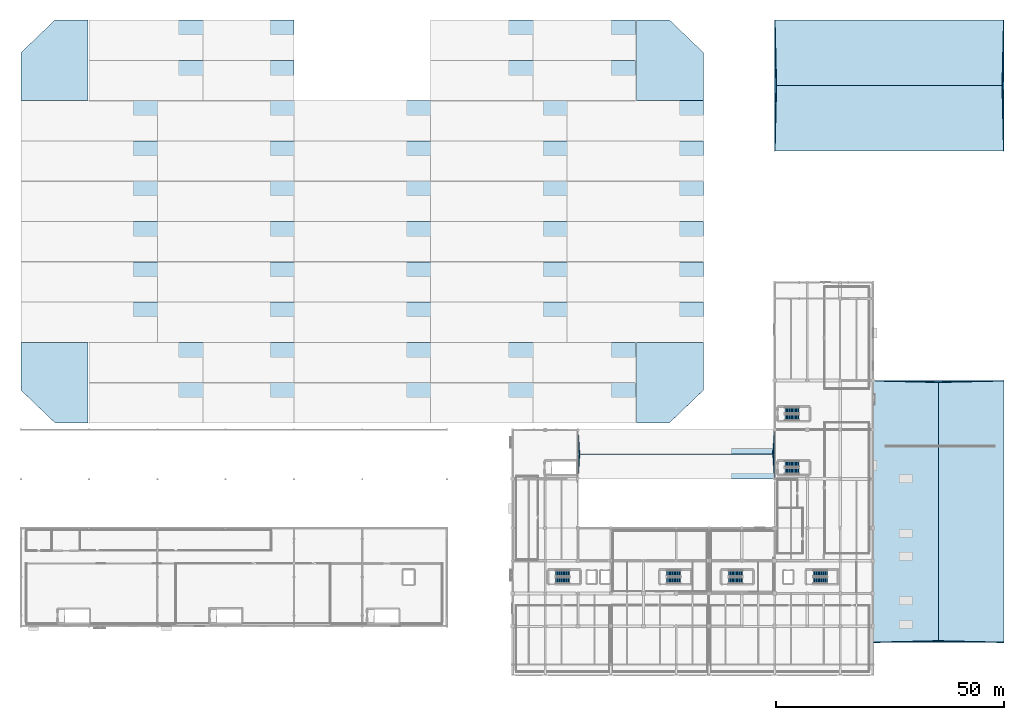
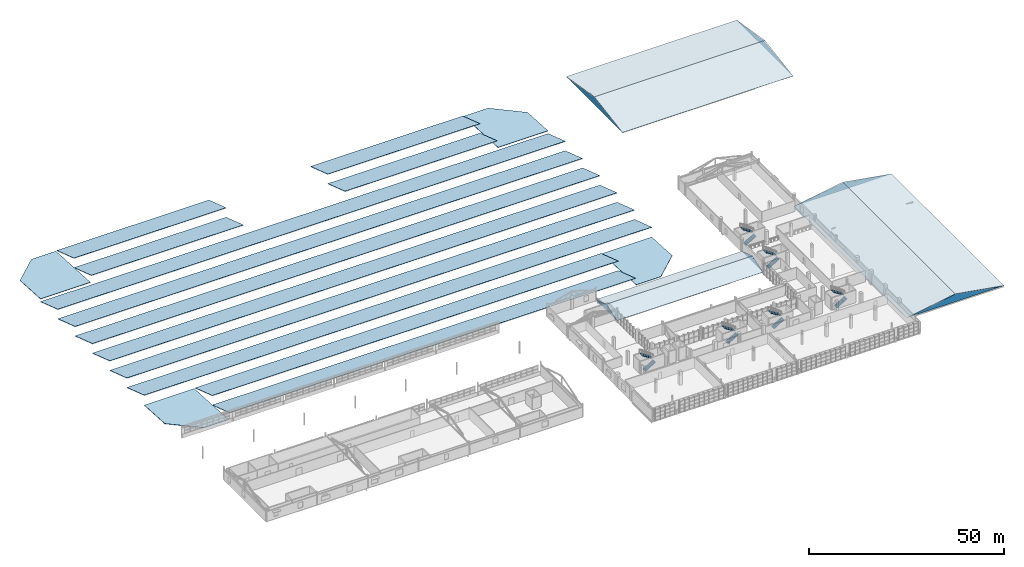
# One storey, part 78 of 90: 28 roofs, 12 stair flights, 6 elements without a shape of their own.
"""IFC4 building model written with IfcOpenShell, lengths in metres."""

from ifc_helpers import new_model, si_unit, direction, frame, origin, place, context, subcontext, project, spatial, polyline, outline, extrude, material, type_object, element, aggregate, save


model = new_model("IFC4")

# Units and contexts
model_context = context("Model", 3, precision=1e-05, world=origin(), true_north=direction((0.0, 1.0)))
body_context = subcontext(model_context, "Body", "Model", "MODEL_VIEW")
ifc_project = project(units=[si_unit("LENGTHUNIT", "METRE"), si_unit("AREAUNIT", "SQUARE_METRE"), si_unit("VOLUMEUNIT", "CUBIC_METRE"), si_unit("PLANEANGLEUNIT", "RADIAN"), si_unit("MASSUNIT", "GRAM", prefix="KILO")], contexts=[model_context])

# Site, building, storey
site_placement = place(None, origin())
site = spatial("IfcSite", under=ifc_project, at=site_placement, CompositionType="ELEMENT")
building_placement = place(site_placement, origin())
building = spatial("IfcBuilding", under=site, at=building_placement, Name="Solanera Park Tramway Depot", CompositionType="ELEMENT")
storey_placement = place(building_placement, frame((0.0, 0.0, 9.0)))
storey = spatial("IfcBuildingStorey", under=building, at=storey_placement, Name="L02", CompositionType="ELEMENT", Elevation=9.0)

# Stair, stair flights
ifc_material_1 = material(Name="Concrete N40 (C40/50)", Category="concrete")
stair_type = type_object("IfcStairType", Name="Stair Half-Turn Dogleg 4200", PredefinedType="HALF_TURN_STAIR", material=ifc_material_1)
stair_1_placement = place(storey_placement, origin())
stair_1 = element("IfcStair", 1, at=stair_1_placement, inside=storey, type_object=stair_type, Name="ST-01 L02 Half-Turn Stair", PredefinedType="HALF_TURN_STAIR")
ifc_material_2 = material(Name="Concrete N40 (C40/50)", Category="concrete")
stair_flight_type = type_object("IfcStairFlightType", Name="Stair Flight Concrete 1300", PredefinedType="STRAIGHT", material=ifc_material_2)
stair_flight_1_placement = place(storey_placement, frame((117.5, 20.875, 0.0), z_axis=(0.0, 0.0, 1.0), x_axis=(1.0, 0.0, 0.0)))
stair_flight_1 = element("IfcStairFlight", 2, at=stair_flight_1_placement, type_object=stair_flight_type, Name="ST-01 L02 Stair Flight 1", NumberOfRisers=12, NumberOfTreads=11, PredefinedType="STRAIGHT", RiserHeight=0.175, TreadLength=0.28, context=body_context, shape_type="SweptSolid", body=[
    extrude(outline(polyline([(0.0, 0.0), (0.0, 0.175048828125), (0.280029296875, 0.175048828125), (0.280029296875, 0.35009765625), (0.56005859375, 0.35009765625), (0.56005859375, 0.52490234375), (0.840087890625, 0.52490234375), (0.840087890625, 0.699951171875), (1.1201171875, 0.699951171875), (1.1201171875, 0.875), (1.39990234375, 0.875), (1.39990234375, 1.050048828125), (1.679931640625, 1.050048828125), (1.679931640625, 1.22509765625), (1.9599609375, 1.22509765625), (1.9599609375, 1.39990234375), (2.239990234375, 1.39990234375), (2.239990234375, 1.574951171875), (2.52001953125, 1.574951171875), (2.52001953125, 1.75), (2.800048828125, 1.75), (2.800048828125, 1.925048828125), (3.080078125, 1.925048828125), (3.080078125, 2.10009765625), (3.080078125, 1.736328125), (0.3017578125, 0.0), (0.0, 0.0)])), frame((0.0, 0.675048828125, 0.0), z_axis=(0.0, -1.0, 0.0), x_axis=(1.0, 0.0, 0.0)), (0.0, 0.0, 1.0), 1.35009765625),
])
stair_flight_2_placement = place(storey_placement, frame((120.580078125, 22.425048828125, 2.10009765625), z_axis=(0.0, 0.0, 1.0), x_axis=(-1.0, 0.0, 0.0)))
stair_flight_2 = element("IfcStairFlight", 3, at=stair_flight_2_placement, type_object=stair_flight_type, Name="ST-01 L02 Stair Flight 2", NumberOfRisers=12, NumberOfTreads=11, PredefinedType="STRAIGHT", RiserHeight=0.175, TreadLength=0.28, context=body_context, shape_type="SweptSolid", body=[
    extrude(outline(polyline([(0.0, 0.0), (0.0, 0.175048828125), (0.280029296875, 0.175048828125), (0.280029296875, 0.35009765625), (0.56005859375, 0.35009765625), (0.56005859375, 0.52490234375), (0.840087890625, 0.52490234375), (0.840087890625, 0.699951171875), (1.1201171875, 0.699951171875), (1.1201171875, 0.875), (1.39990234375, 0.875), (1.39990234375, 1.050048828125), (1.679931640625, 1.050048828125), (1.679931640625, 1.22509765625), (1.9599609375, 1.22509765625), (1.9599609375, 1.39990234375), (2.239990234375, 1.39990234375), (2.239990234375, 1.574951171875), (2.52001953125, 1.574951171875), (2.52001953125, 1.75), (2.800048828125, 1.75), (2.800048828125, 1.925048828125), (3.080078125, 1.925048828125), (3.080078125, 2.10009765625), (3.080078125, 1.736328125), (0.3017578125, 0.0), (0.0, 0.0)])), frame((0.0, 0.675048828125, 0.0), z_axis=(0.0, -1.0, 0.0), x_axis=(1.0, 0.0, 0.0)), (0.0, 0.0, 1.0), 1.35009765625),
])
aggregate(stair_1, [stair_flight_1, stair_flight_2])

stair_2_placement = place(storey_placement, origin())
stair_2 = element("IfcStair", 4, at=stair_2_placement, inside=storey, type_object=stair_type, Name="ST-02 L02 Half-Turn Stair", PredefinedType="HALF_TURN_STAIR")
stair_flight_3_placement = place(storey_placement, frame((141.89990234375, 20.875, 0.0), z_axis=(0.0, 0.0, 1.0), x_axis=(1.0, 0.0, 0.0)))
stair_flight_3 = element("IfcStairFlight", 5, at=stair_flight_3_placement, type_object=stair_flight_type, Name="ST-02 L02 Stair Flight 1", NumberOfRisers=12, NumberOfTreads=11, PredefinedType="STRAIGHT", RiserHeight=0.175, TreadLength=0.28, context=body_context, shape_type="SweptSolid", body=[
    extrude(outline(polyline([(0.0, 0.0), (0.0, 0.175048828125), (0.280029296875, 0.175048828125), (0.280029296875, 0.35009765625), (0.56005859375, 0.35009765625), (0.56005859375, 0.52490234375), (0.840087890625, 0.52490234375), (0.840087890625, 0.699951171875), (1.1201171875, 0.699951171875), (1.1201171875, 0.875), (1.39990234375, 0.875), (1.39990234375, 1.050048828125), (1.679931640625, 1.050048828125), (1.679931640625, 1.22509765625), (1.9599609375, 1.22509765625), (1.9599609375, 1.39990234375), (2.239990234375, 1.39990234375), (2.239990234375, 1.574951171875), (2.52001953125, 1.574951171875), (2.52001953125, 1.75), (2.800048828125, 1.75), (2.800048828125, 1.925048828125), (3.080078125, 1.925048828125), (3.080078125, 2.10009765625), (3.080078125, 1.736328125), (0.3017578125, 0.0), (0.0, 0.0)])), frame((0.0, 0.675048828125, 0.0), z_axis=(0.0, -1.0, 0.0), x_axis=(1.0, 0.0, 0.0)), (0.0, 0.0, 1.0), 1.35009765625),
])
stair_flight_4_placement = place(storey_placement, frame((144.97998046875, 22.425048828125, 2.10009765625), z_axis=(0.0, 0.0, 1.0), x_axis=(-1.0, 0.0, 0.0)))
stair_flight_4 = element("IfcStairFlight", 6, at=stair_flight_4_placement, type_object=stair_flight_type, Name="ST-02 L02 Stair Flight 2", NumberOfRisers=12, NumberOfTreads=11, PredefinedType="STRAIGHT", RiserHeight=0.175, TreadLength=0.28, context=body_context, shape_type="SweptSolid", body=[
    extrude(outline(polyline([(0.0, 0.0), (0.0, 0.175048828125), (0.280029296875, 0.175048828125), (0.280029296875, 0.35009765625), (0.56005859375, 0.35009765625), (0.56005859375, 0.52490234375), (0.840087890625, 0.52490234375), (0.840087890625, 0.699951171875), (1.1201171875, 0.699951171875), (1.1201171875, 0.875), (1.39990234375, 0.875), (1.39990234375, 1.050048828125), (1.679931640625, 1.050048828125), (1.679931640625, 1.22509765625), (1.9599609375, 1.22509765625), (1.9599609375, 1.39990234375), (2.239990234375, 1.39990234375), (2.239990234375, 1.574951171875), (2.52001953125, 1.574951171875), (2.52001953125, 1.75), (2.800048828125, 1.75), (2.800048828125, 1.925048828125), (3.080078125, 1.925048828125), (3.080078125, 2.10009765625), (3.080078125, 1.736328125), (0.3017578125, 0.0), (0.0, 0.0)])), frame((0.0, 0.675048828125, 0.0), z_axis=(0.0, -1.0, 0.0), x_axis=(1.0, 0.0, 0.0)), (0.0, 0.0, 1.0), 1.35009765625),
])
aggregate(stair_2, [stair_flight_3, stair_flight_4])

stair_3_placement = place(storey_placement, origin())
stair_3 = element("IfcStair", 7, at=stair_3_placement, inside=storey, type_object=stair_type, Name="ST-03 L02 Half-Turn Stair", PredefinedType="HALF_TURN_STAIR")
stair_flight_5_placement = place(storey_placement, frame((155.5, 20.875, 0.0), z_axis=(0.0, 0.0, 1.0), x_axis=(1.0, 0.0, 0.0)))
stair_flight_5 = element("IfcStairFlight", 8, at=stair_flight_5_placement, type_object=stair_flight_type, Name="ST-03 L02 Stair Flight 1", NumberOfRisers=12, NumberOfTreads=11, PredefinedType="STRAIGHT", RiserHeight=0.175, TreadLength=0.28, context=body_context, shape_type="SweptSolid", body=[
    extrude(outline(polyline([(0.0, 0.0), (0.0, 0.175048828125), (0.280029296875, 0.175048828125), (0.280029296875, 0.35009765625), (0.56005859375, 0.35009765625), (0.56005859375, 0.52490234375), (0.840087890625, 0.52490234375), (0.840087890625, 0.699951171875), (1.1201171875, 0.699951171875), (1.1201171875, 0.875), (1.39990234375, 0.875), (1.39990234375, 1.050048828125), (1.679931640625, 1.050048828125), (1.679931640625, 1.22509765625), (1.9599609375, 1.22509765625), (1.9599609375, 1.39990234375), (2.239990234375, 1.39990234375), (2.239990234375, 1.574951171875), (2.52001953125, 1.574951171875), (2.52001953125, 1.75), (2.800048828125, 1.75), (2.800048828125, 1.925048828125), (3.080078125, 1.925048828125), (3.080078125, 2.10009765625), (3.080078125, 1.736328125), (0.3017578125, 0.0), (0.0, 0.0)])), frame((0.0, 0.675048828125, 0.0), z_axis=(0.0, -1.0, 0.0), x_axis=(1.0, 0.0, 0.0)), (0.0, 0.0, 1.0), 1.35009765625),
])
stair_flight_6_placement = place(storey_placement, frame((158.580078125, 22.425048828125, 2.10009765625), z_axis=(0.0, 0.0, 1.0), x_axis=(-1.0, 0.0, 0.0)))
stair_flight_6 = element("IfcStairFlight", 9, at=stair_flight_6_placement, type_object=stair_flight_type, Name="ST-03 L02 Stair Flight 2", NumberOfRisers=12, NumberOfTreads=11, PredefinedType="STRAIGHT", RiserHeight=0.175, TreadLength=0.28, context=body_context, shape_type="SweptSolid", body=[
    extrude(outline(polyline([(0.0, 0.0), (0.0, 0.175048828125), (0.280029296875, 0.175048828125), (0.280029296875, 0.35009765625), (0.56005859375, 0.35009765625), (0.56005859375, 0.52490234375), (0.840087890625, 0.52490234375), (0.840087890625, 0.699951171875), (1.1201171875, 0.699951171875), (1.1201171875, 0.875), (1.39990234375, 0.875), (1.39990234375, 1.050048828125), (1.679931640625, 1.050048828125), (1.679931640625, 1.22509765625), (1.9599609375, 1.22509765625), (1.9599609375, 1.39990234375), (2.239990234375, 1.39990234375), (2.239990234375, 1.574951171875), (2.52001953125, 1.574951171875), (2.52001953125, 1.75), (2.800048828125, 1.75), (2.800048828125, 1.925048828125), (3.080078125, 1.925048828125), (3.080078125, 2.10009765625), (3.080078125, 1.736328125), (0.3017578125, 0.0), (0.0, 0.0)])), frame((0.0, 0.675048828125, 0.0), z_axis=(0.0, -1.0, 0.0), x_axis=(1.0, 0.0, 0.0)), (0.0, 0.0, 1.0), 1.35009765625),
])
aggregate(stair_3, [stair_flight_5, stair_flight_6])

stair_4_placement = place(storey_placement, origin())
stair_4 = element("IfcStair", 10, at=stair_4_placement, inside=storey, type_object=stair_type, Name="ST-04 L02 Half-Turn Stair", PredefinedType="HALF_TURN_STAIR")
stair_flight_7_placement = place(storey_placement, frame((174.10009765625, 20.875, 0.0), z_axis=(0.0, 0.0, 1.0), x_axis=(1.0, 0.0, 0.0)))
stair_flight_7 = element("IfcStairFlight", 11, at=stair_flight_7_placement, type_object=stair_flight_type, Name="ST-04 L02 Stair Flight 1", NumberOfRisers=12, NumberOfTreads=11, PredefinedType="STRAIGHT", RiserHeight=0.175, TreadLength=0.28, context=body_context, shape_type="SweptSolid", body=[
    extrude(outline(polyline([(0.0, 0.0), (0.0, 0.175048828125), (0.280029296875, 0.175048828125), (0.280029296875, 0.35009765625), (0.56005859375, 0.35009765625), (0.56005859375, 0.52490234375), (0.840087890625, 0.52490234375), (0.840087890625, 0.699951171875), (1.1201171875, 0.699951171875), (1.1201171875, 0.875), (1.39990234375, 0.875), (1.39990234375, 1.050048828125), (1.679931640625, 1.050048828125), (1.679931640625, 1.22509765625), (1.9599609375, 1.22509765625), (1.9599609375, 1.39990234375), (2.239990234375, 1.39990234375), (2.239990234375, 1.574951171875), (2.52001953125, 1.574951171875), (2.52001953125, 1.75), (2.800048828125, 1.75), (2.800048828125, 1.925048828125), (3.080078125, 1.925048828125), (3.080078125, 2.10009765625), (3.080078125, 1.736328125), (0.3017578125, 0.0), (0.0, 0.0)])), frame((0.0, 0.675048828125, 0.0), z_axis=(0.0, -1.0, 0.0), x_axis=(1.0, 0.0, 0.0)), (0.0, 0.0, 1.0), 1.35009765625),
])
stair_flight_8_placement = place(storey_placement, frame((177.179931640625, 22.425048828125, 2.10009765625), z_axis=(0.0, 0.0, 1.0), x_axis=(-1.0, 0.0, 0.0)))
stair_flight_8 = element("IfcStairFlight", 12, at=stair_flight_8_placement, type_object=stair_flight_type, Name="ST-04 L02 Stair Flight 2", NumberOfRisers=12, NumberOfTreads=11, PredefinedType="STRAIGHT", RiserHeight=0.175, TreadLength=0.28, context=body_context, shape_type="SweptSolid", body=[
    extrude(outline(polyline([(0.0, 0.0), (0.0, 0.175048828125), (0.280029296875, 0.175048828125), (0.280029296875, 0.35009765625), (0.56005859375, 0.35009765625), (0.56005859375, 0.52490234375), (0.840087890625, 0.52490234375), (0.840087890625, 0.699951171875), (1.1201171875, 0.699951171875), (1.1201171875, 0.875), (1.39990234375, 0.875), (1.39990234375, 1.050048828125), (1.679931640625, 1.050048828125), (1.679931640625, 1.22509765625), (1.9599609375, 1.22509765625), (1.9599609375, 1.39990234375), (2.239990234375, 1.39990234375), (2.239990234375, 1.574951171875), (2.52001953125, 1.574951171875), (2.52001953125, 1.75), (2.800048828125, 1.75), (2.800048828125, 1.925048828125), (3.080078125, 1.925048828125), (3.080078125, 2.10009765625), (3.080078125, 1.736328125), (0.3017578125, 0.0), (0.0, 0.0)])), frame((0.0, 0.675048828125, 0.0), z_axis=(0.0, -1.0, 0.0), x_axis=(1.0, 0.0, 0.0)), (0.0, 0.0, 1.0), 1.35009765625),
])
aggregate(stair_4, [stair_flight_7, stair_flight_8])

stair_5_placement = place(storey_placement, origin())
stair_5 = element("IfcStair", 13, at=stair_5_placement, inside=storey, type_object=stair_type, Name="ST-05 L02 Half-Turn Stair", PredefinedType="HALF_TURN_STAIR")
stair_flight_9_placement = place(storey_placement, frame((167.89990234375, 44.875, 0.0), z_axis=(0.0, 0.0, 1.0), x_axis=(1.0, 0.0, 0.0)))
stair_flight_9 = element("IfcStairFlight", 14, at=stair_flight_9_placement, type_object=stair_flight_type, Name="ST-05 L02 Stair Flight 1", NumberOfRisers=12, NumberOfTreads=11, PredefinedType="STRAIGHT", RiserHeight=0.175, TreadLength=0.28, context=body_context, shape_type="SweptSolid", body=[
    extrude(outline(polyline([(0.0, 0.0), (0.0, 0.175048828125), (0.280029296875, 0.175048828125), (0.280029296875, 0.35009765625), (0.56005859375, 0.35009765625), (0.56005859375, 0.52490234375), (0.840087890625, 0.52490234375), (0.840087890625, 0.699951171875), (1.1201171875, 0.699951171875), (1.1201171875, 0.875), (1.39990234375, 0.875), (1.39990234375, 1.050048828125), (1.679931640625, 1.050048828125), (1.679931640625, 1.22509765625), (1.9599609375, 1.22509765625), (1.9599609375, 1.39990234375), (2.239990234375, 1.39990234375), (2.239990234375, 1.574951171875), (2.52001953125, 1.574951171875), (2.52001953125, 1.75), (2.800048828125, 1.75), (2.800048828125, 1.925048828125), (3.080078125, 1.925048828125), (3.080078125, 2.10009765625), (3.080078125, 1.736328125), (0.3017578125, 0.0), (0.0, 0.0)])), frame((0.0, 0.675048828125, 0.0), z_axis=(0.0, -1.0, 0.0), x_axis=(1.0, 0.0, 0.0)), (0.0, 0.0, 1.0), 1.35009765625),
])
stair_flight_10_placement = place(storey_placement, frame((170.97998046875, 46.425048828125, 2.10009765625), z_axis=(0.0, 0.0, 1.0), x_axis=(-1.0, 0.0, 0.0)))
stair_flight_10 = element("IfcStairFlight", 15, at=stair_flight_10_placement, type_object=stair_flight_type, Name="ST-05 L02 Stair Flight 2", NumberOfRisers=12, NumberOfTreads=11, PredefinedType="STRAIGHT", RiserHeight=0.175, TreadLength=0.28, context=body_context, shape_type="SweptSolid", body=[
    extrude(outline(polyline([(0.0, 0.0), (0.0, 0.175048828125), (0.280029296875, 0.175048828125), (0.280029296875, 0.35009765625), (0.56005859375, 0.35009765625), (0.56005859375, 0.52490234375), (0.840087890625, 0.52490234375), (0.840087890625, 0.699951171875), (1.1201171875, 0.699951171875), (1.1201171875, 0.875), (1.39990234375, 0.875), (1.39990234375, 1.050048828125), (1.679931640625, 1.050048828125), (1.679931640625, 1.22509765625), (1.9599609375, 1.22509765625), (1.9599609375, 1.39990234375), (2.239990234375, 1.39990234375), (2.239990234375, 1.574951171875), (2.52001953125, 1.574951171875), (2.52001953125, 1.75), (2.800048828125, 1.75), (2.800048828125, 1.925048828125), (3.080078125, 1.925048828125), (3.080078125, 2.10009765625), (3.080078125, 1.736328125), (0.3017578125, 0.0), (0.0, 0.0)])), frame((0.0, 0.675048828125, 0.0), z_axis=(0.0, -1.0, 0.0), x_axis=(1.0, 0.0, 0.0)), (0.0, 0.0, 1.0), 1.35009765625),
])
aggregate(stair_5, [stair_flight_9, stair_flight_10])

stair_6_placement = place(storey_placement, origin())
stair_6 = element("IfcStair", 16, at=stair_6_placement, inside=storey, type_object=stair_type, Name="ST-06 L02 Half-Turn Stair", PredefinedType="HALF_TURN_STAIR")
stair_flight_11_placement = place(storey_placement, frame((167.89990234375, 56.675048828125, 0.0), z_axis=(0.0, 0.0, 1.0), x_axis=(1.0, 0.0, 0.0)))
stair_flight_11 = element("IfcStairFlight", 17, at=stair_flight_11_placement, type_object=stair_flight_type, Name="ST-06 L02 Stair Flight 1", NumberOfRisers=12, NumberOfTreads=11, PredefinedType="STRAIGHT", RiserHeight=0.175, TreadLength=0.28, context=body_context, shape_type="SweptSolid", body=[
    extrude(outline(polyline([(0.0, 0.0), (0.0, 0.175048828125), (0.280029296875, 0.175048828125), (0.280029296875, 0.35009765625), (0.56005859375, 0.35009765625), (0.56005859375, 0.52490234375), (0.840087890625, 0.52490234375), (0.840087890625, 0.699951171875), (1.1201171875, 0.699951171875), (1.1201171875, 0.875), (1.39990234375, 0.875), (1.39990234375, 1.050048828125), (1.679931640625, 1.050048828125), (1.679931640625, 1.22509765625), (1.9599609375, 1.22509765625), (1.9599609375, 1.39990234375), (2.239990234375, 1.39990234375), (2.239990234375, 1.574951171875), (2.52001953125, 1.574951171875), (2.52001953125, 1.75), (2.800048828125, 1.75), (2.800048828125, 1.925048828125), (3.080078125, 1.925048828125), (3.080078125, 2.10009765625), (3.080078125, 1.736328125), (0.3017578125, 0.0), (0.0, 0.0)])), frame((0.0, 0.675048828125, 0.0), z_axis=(0.0, -1.0, 0.0), x_axis=(1.0, 0.0, 0.0)), (0.0, 0.0, 1.0), 1.35009765625),
])
stair_flight_12_placement = place(storey_placement, frame((170.97998046875, 58.22509765625, 2.10009765625), z_axis=(0.0, 0.0, 1.0), x_axis=(-1.0, 0.0, 0.0)))
stair_flight_12 = element("IfcStairFlight", 18, at=stair_flight_12_placement, type_object=stair_flight_type, Name="ST-06 L02 Stair Flight 2", NumberOfRisers=12, NumberOfTreads=11, PredefinedType="STRAIGHT", RiserHeight=0.175, TreadLength=0.28, context=body_context, shape_type="SweptSolid", body=[
    extrude(outline(polyline([(0.0, 0.0), (0.0, 0.175048828125), (0.280029296875, 0.175048828125), (0.280029296875, 0.35009765625), (0.56005859375, 0.35009765625), (0.56005859375, 0.52490234375), (0.840087890625, 0.52490234375), (0.840087890625, 0.699951171875), (1.1201171875, 0.699951171875), (1.1201171875, 0.875), (1.39990234375, 0.875), (1.39990234375, 1.050048828125), (1.679931640625, 1.050048828125), (1.679931640625, 1.22509765625), (1.9599609375, 1.22509765625), (1.9599609375, 1.39990234375), (2.239990234375, 1.39990234375), (2.239990234375, 1.574951171875), (2.52001953125, 1.574951171875), (2.52001953125, 1.75), (2.800048828125, 1.75), (2.800048828125, 1.925048828125), (3.080078125, 1.925048828125), (3.080078125, 2.10009765625), (3.080078125, 1.736328125), (0.3017578125, 0.0), (0.0, 0.0)])), frame((0.0, 0.675048828125, 0.0), z_axis=(0.0, -1.0, 0.0), x_axis=(1.0, 0.0, 0.0)), (0.0, 0.0, 1.0), 1.35009765625),
])
aggregate(stair_6, [stair_flight_11, stair_flight_12])

# Roofs
ifc_material_3 = material(Name="Surfmist insulated cool-roof steel decking", Category="steel")
roof_type_1 = type_object("IfcRoofType", Name="Sawtooth Shed Roof Assembly", PredefinedType="SHED_ROOF", material=ifc_material_3)
roof_1_placement = place(storey_placement, frame((15.0, 55.5, 1.61328125), z_axis=(0.0, 0.317302766454, 0.948324287573), x_axis=(1.0, 0.0, 0.0)))
element("IfcRoof", 19, at=roof_1_placement, inside=storey, type_object=roof_type_1, Name="Sawtooth Shed Roof Bay 01", PredefinedType="SHED_ROOF", context=body_context, shape_type="SweptSolid", body=[
    extrude(outline(polyline([(0.0, 0.0), (120.0, 0.0), (120.0, 9.332353681356933), (0.0, 9.332353681356933), (0.0, 0.0)])), origin(), (0.0, 0.0, -1.0), 0.050048828125),
])
roof_2_placement = place(storey_placement, frame((15.0, 64.35009765625, 1.61328125), z_axis=(0.0, 0.317310638539, 0.948321653591), x_axis=(1.0, 0.0, 0.0)))
element("IfcRoof", 20, at=roof_2_placement, inside=storey, type_object=roof_type_1, Name="Sawtooth Shed Roof Bay 02", PredefinedType="SHED_ROOF", context=body_context, shape_type="SweptSolid", body=[
    extrude(outline(polyline([(0.0, 0.0), (120.0, 0.0), (120.0, 9.332122157194188), (0.0, 9.332122157194188), (0.0, 0.0)])), origin(), (0.0, 0.0, -1.0), 0.050048828125),
])
roof_3_placement = place(storey_placement, frame((0.0, 73.199951171875, 1.61328125), z_axis=(0.0, 0.317302766454, 0.948324287573), x_axis=(1.0, 0.0, 0.0)))
element("IfcRoof", 21, at=roof_3_placement, inside=storey, type_object=roof_type_1, Name="Sawtooth Shed Roof Bay 03", PredefinedType="SHED_ROOF", context=body_context, shape_type="SweptSolid", body=[
    extrude(outline(polyline([(0.0, 0.0), (150.0, 0.0), (150.0, 9.332353681356933), (0.0, 9.332353681356933), (0.0, 0.0)])), origin(), (0.0, 0.0, -1.0), 0.050048828125),
])
roof_4_placement = place(storey_placement, frame((0.0, 82.050048828125, 1.61328125), z_axis=(0.0, 0.317310638539, 0.948321653591), x_axis=(1.0, 0.0, 0.0)))
element("IfcRoof", 22, at=roof_4_placement, inside=storey, type_object=roof_type_1, Name="Sawtooth Shed Roof Bay 04", PredefinedType="SHED_ROOF", context=body_context, shape_type="SweptSolid", body=[
    extrude(outline(polyline([(0.0, 0.0), (150.0, 0.0), (150.0, 9.33212215719419), (0.0, 9.33212215719419), (0.0, 0.0)])), origin(), (0.0, 0.0, -1.0), 0.050048828125),
])
for number, where, z_axis, x_axis, name in (
    (23, (0.0, 90.89990234375, 1.61328125), (0.0, 0.317302766454, 0.948324287573), (1.0, 0.0, 0.0), "Sawtooth Shed Roof Bay 05"),
    (24, (0.0, 99.75, 1.61328125), (0.0, 0.317302766454, 0.948324287573), (1.0, 0.0, 0.0), "Sawtooth Shed Roof Bay 06"),
):
    element("IfcRoof", number, at=place(storey_placement, frame(where, z_axis=z_axis, x_axis=x_axis)), inside=storey, type_object=roof_type_1, Name=name, PredefinedType="SHED_ROOF", context=body_context, shape_type="SweptSolid", body=[
        extrude(outline(polyline([(0.0, 0.0), (150.0, 0.0), (150.0, 9.332353681356933), (0.0, 9.332353681356933), (0.0, 0.0)])), origin(), (0.0, 0.0, -1.0), 0.050048828125),
    ])
roof_5_placement = place(storey_placement, frame((0.0, 108.60009765625, 1.61328125), z_axis=(0.0, 0.317310638539, 0.948321653591), x_axis=(1.0, 0.0, 0.0)))
element("IfcRoof", 25, at=roof_5_placement, inside=storey, type_object=roof_type_1, Name="Sawtooth Shed Roof Bay 07", PredefinedType="SHED_ROOF", context=body_context, shape_type="SweptSolid", body=[
    extrude(outline(polyline([(0.0, 0.0), (150.0, 0.0), (150.0, 9.33212215719419), (0.0, 9.33212215719419), (0.0, 0.0)])), origin(), (0.0, 0.0, -1.0), 0.050048828125),
])
roof_6_placement = place(storey_placement, frame((0.0, 117.449951171875, 1.61328125), z_axis=(0.0, 0.317302766454, 0.948324287573), x_axis=(1.0, 0.0, 0.0)))
element("IfcRoof", 26, at=roof_6_placement, inside=storey, type_object=roof_type_1, Name="Sawtooth Shed Roof Bay 08", PredefinedType="SHED_ROOF", context=body_context, shape_type="SweptSolid", body=[
    extrude(outline(polyline([(0.0, 0.0), (150.0, 0.0), (150.0, 9.332353681356933), (0.0, 9.332353681356933), (0.0, 0.0)])), origin(), (0.0, 0.0, -1.0), 0.050048828125),
])
for number, where, z_axis, x_axis, name in (
    (27, (15.0, 126.300048828125, 1.61328125), (0.0, 0.317310638539, 0.948321653591), (1.0, 0.0, 0.0), "Sawtooth Shed Roof Bay 09W"),
    (28, (90.0, 126.300048828125, 1.61328125), (0.0, 0.317310638539, 0.948321653591), (1.0, 0.0, 0.0), "Sawtooth Shed Roof Bay 09E"),
):
    element("IfcRoof", number, at=place(storey_placement, frame(where, z_axis=z_axis, x_axis=x_axis)), inside=storey, type_object=roof_type_1, Name=name, PredefinedType="SHED_ROOF", context=body_context, shape_type="SweptSolid", body=[
        extrude(outline(polyline([(0.0, 0.0), (45.0, 0.0), (45.0, 9.33212215719419), (0.0, 9.33212215719419), (0.0, 0.0)])), origin(), (0.0, 0.0, -1.0), 0.050048828125),
    ])
for number, where, z_axis, x_axis, name in (
    (29, (15.0, 135.14990234375, 1.61328125), (0.0, 0.317302766454, 0.948324287573), (1.0, 0.0, 0.0), "Sawtooth Shed Roof Bay 10W"),
    (30, (90.0, 135.14990234375, 1.61328125), (0.0, 0.317302766454, 0.948324287573), (1.0, 0.0, 0.0), "Sawtooth Shed Roof Bay 10E"),
):
    element("IfcRoof", number, at=place(storey_placement, frame(where, z_axis=z_axis, x_axis=x_axis)), inside=storey, type_object=roof_type_1, Name=name, PredefinedType="SHED_ROOF", context=body_context, shape_type="SweptSolid", body=[
        extrude(outline(polyline([(0.0, 0.0), (45.0, 0.0), (45.0, 9.332353681356933), (0.0, 9.332353681356933), (0.0, 0.0)])), origin(), (0.0, 0.0, -1.0), 0.050048828125),
    ])
roof_7_placement = place(storey_placement, frame((7.5, 55.5, -0.498046875), z_axis=(1.496837e-06, 0.056408010238, 0.99840780064), x_axis=(0.999999999999, -8.4434e-08, -1.494454e-06)))
element("IfcRoof", 31, at=roof_7_placement, inside=storey, type_object=roof_type_1, Name="V1 Chamfered Corner Roof SW", PredefinedType="SHED_ROOF", context=body_context, shape_type="SweptSolid", body=[
    extrude(outline(polyline([(0.0, 0.0), (7.280029296866845, 0.0), (7.28002929685004, 17.728177331204503), (-7.500000000008403, 17.728177331204503), (-7.500000000057829, 7.211430711367934), (0.0, 0.0)])), origin(), (0.0, 0.0, -1.0), 0.050048828125),
])
roof_8_placement = place(storey_placement, frame((135.219970703125, 55.5, -0.498046875), z_axis=(-1.496837e-06, 0.056408010238, 0.99840780064), x_axis=(0.999999999999, 8.4434e-08, 1.494454e-06)))
element("IfcRoof", 32, at=roof_8_placement, inside=storey, type_object=roof_type_1, Name="V1 Chamfered Corner Roof SE", PredefinedType="SHED_ROOF", context=body_context, shape_type="SweptSolid", body=[
    extrude(outline(polyline([(0.0, 0.0), (7.280029296866845, 0.0), (14.780029296924672, 7.211430711367934), (14.780029296875245, 17.728177331204503), (1.6803915003601907e-11, 17.728177331204503), (0.0, 0.0)])), origin(), (0.0, 0.0, -1.0), 0.050048828125),
])
roof_9_placement = place(storey_placement, frame((0.0, 126.300048828125, -0.498046875), z_axis=(-1.496837e-06, 0.056408010238, 0.99840780064), x_axis=(0.999999999999, 8.4434e-08, 1.494454e-06)))
element("IfcRoof", 33, at=roof_9_placement, inside=storey, type_object=roof_type_1, Name="V1 Chamfered Corner Roof NW", PredefinedType="SHED_ROOF", context=body_context, shape_type="SweptSolid", body=[
    extrude(outline(polyline([(0.0, 0.0), (14.780029296858443, 0.0), (14.780029296875245, 17.728177331204503), (7.500000000008403, 17.728177331204503), (-4.942604661152109e-11, 10.516746619836567), (0.0, 0.0)])), origin(), (0.0, 0.0, -1.0), 0.050048828125),
])
roof_10_placement = place(storey_placement, frame((135.219970703125, 126.300048828125, -0.498046875), z_axis=(1.496837e-06, 0.056408010238, 0.99840780064), x_axis=(0.999999999999, -8.4434e-08, -1.494454e-06)))
element("IfcRoof", 34, at=roof_10_placement, inside=storey, type_object=roof_type_1, Name="V1 Chamfered Corner Roof NE", PredefinedType="SHED_ROOF", context=body_context, shape_type="SweptSolid", body=[
    extrude(outline(polyline([(0.0, 0.0), (14.780029296858443, 0.0), (14.780029296907868, 10.516746619836567), (7.28002929685004, 17.728177331204503), (-1.6803915003601907e-11, 17.728177331204503), (0.0, 0.0)])), origin(), (0.0, 0.0, -1.0), 0.050048828125),
])
ifc_material_4 = material(Name="Mission terracotta clay barrel tile roofing", Category="masonry")
roof_type_2 = type_object("IfcRoofType", Name="Spanish Colonial Terracotta Hip Roof Assembly", PredefinedType="HIP_ROOF", material=ifc_material_4)
roof_11_placement = place(storey_placement, frame((165.60009765625, 115.199951171875, 0.236572265625), z_axis=(0.0, -0.164097943878, 0.986444050524), x_axis=(1.0, 0.0, 0.0)))
element("IfcRoof", 35, at=roof_11_placement, inside=storey, type_object=roof_type_2, Name="Terracotta Pitched Roof V3-RF.1", PredefinedType="HIP_ROOF", context=body_context, shape_type="SweptSolid", body=[
    extrude(outline(polyline([(0.0, 0.0), (50.39990234375, 0.0), (50.39990234375, 14.59803673276671), (0.0, 14.59803673276671), (0.0, 0.0)])), origin(), (0.0, 0.0, -1.0), 0.050048828125),
])
roof_12_placement = place(storey_placement, frame((165.60009765625, 129.60009765625, 2.632080078125), z_axis=(0.0, 0.164100651127, 0.986443600162), x_axis=(1.0, 0.0, 0.0)))
element("IfcRoof", 36, at=roof_12_placement, inside=storey, type_object=roof_type_2, Name="Terracotta Pitched Roof V3-RF.2", PredefinedType="HIP_ROOF", context=body_context, shape_type="SweptSolid", body=[
    extrude(outline(polyline([(0.0, 0.0), (50.39990234375, 0.0), (50.39990234375, 14.597795901754665), (0.0, 14.597795901754665), (0.0, 0.0)])), origin(), (0.0, 0.0, -1.0), 0.050048828125),
])
roof_13_placement = place(storey_placement, frame((165.60009765625, 144.0, 0.236572265625), z_axis=(-0.989502958683, 0.0, 0.144512611067), x_axis=(0.0, -1.0, 0.0)))
element("IfcRoof", 37, at=roof_13_placement, inside=storey, type_object=roof_type_2, Name="Terracotta Hip Gable End V3-RF.E1", PredefinedType="HIP_ROOF", context=body_context, shape_type="SweptSolid", body=[
    extrude(outline(polyline([(0.0, 0.0), (28.800048828125, 0.0), (14.39990234375, 2.4209203130511563), (0.0, 0.0)])), origin(), (0.0, 0.0, -1.0), 0.050048828125),
])
roof_14_placement = place(storey_placement, frame((216.0, 115.199951171875, 0.236572265625), z_axis=(0.989488533398, 0.0, 0.144611349051), x_axis=(0.0, 1.0, 0.0)))
element("IfcRoof", 38, at=roof_14_placement, inside=storey, type_object=roof_type_2, Name="Terracotta Hip Gable End V3-RF.E2", PredefinedType="HIP_ROOF", context=body_context, shape_type="SweptSolid", body=[
    extrude(outline(polyline([(0.0, 0.0), (28.800048828125, 0.0), (14.400146484375, 2.420955606503407), (0.0, 0.0)])), origin(), (0.0, 0.0, -1.0), 0.050048828125),
])
roof_15_placement = place(storey_placement, frame((122.39990234375, 43.199951171875, 0.244384765625), z_axis=(0.0, -0.322153627534, 0.94668740367), x_axis=(1.0, 0.0, 0.0)))
element("IfcRoof", 39, at=roof_15_placement, inside=storey, type_object=roof_type_2, Name="Terracotta Pitched Roof V4N-RF.1", PredefinedType="HIP_ROOF", context=body_context, shape_type="SweptSolid", body=[
    extrude(outline(polyline([(0.0, 0.0), (43.2001953125, 0.0), (43.2001953125, 5.704255135794987), (0.0, 5.704255135794987), (0.0, 0.0)])), origin(), (0.0, 0.0, -1.0), 0.050048828125),
])
roof_16_placement = place(storey_placement, frame((122.39990234375, 48.60009765625, 2.08203125), z_axis=(0.0, 0.322166681044, 0.946682961516), x_axis=(1.0, 0.0, 0.0)))
element("IfcRoof", 40, at=roof_16_placement, inside=storey, type_object=roof_type_2, Name="Terracotta Pitched Roof V4N-RF.2", PredefinedType="HIP_ROOF", context=body_context, shape_type="SweptSolid", body=[
    extrude(outline(polyline([(0.0, 0.0), (43.2001953125, 0.0), (43.2001953125, 5.704024011482818), (0.0, 5.704024011482818), (0.0, 0.0)])), origin(), (0.0, 0.0, -1.0), 0.050048828125),
])
roof_17_placement = place(storey_placement, frame((122.39990234375, 54.0, 0.244384765625), z_axis=(-0.982331711966, 0.0, 0.187148090203), x_axis=(0.0, -1.0, 0.0)))
element("IfcRoof", 41, at=roof_17_placement, inside=storey, type_object=roof_type_2, Name="Terracotta Hip Gable End V4N-RF.E1", PredefinedType="HIP_ROOF", context=body_context, shape_type="SweptSolid", body=[
    extrude(outline(polyline([(0.0, 0.0), (10.800048828125, 0.0), (5.39990234375, 1.8706985247354904), (0.0, 0.0)])), origin(), (0.0, 0.0, -1.0), 0.050048828125),
])
roof_18_placement = place(storey_placement, frame((165.60009765625, 43.199951171875, 0.244384765625), z_axis=(0.982331711966, 0.0, 0.187148090203), x_axis=(0.0, 1.0, 0.0)))
element("IfcRoof", 42, at=roof_18_placement, inside=storey, type_object=roof_type_2, Name="Terracotta Hip Gable End V4N-RF.E2", PredefinedType="HIP_ROOF", context=body_context, shape_type="SweptSolid", body=[
    extrude(outline(polyline([(0.0, 0.0), (10.800048828125, 0.0), (5.400146484375, 1.8706985247354904), (0.0, 0.0)])), origin(), (0.0, 0.0, -1.0), 0.050048828125),
])
roof_19_placement = place(storey_placement, frame((187.199951171875, 7.199951171875, 0.236572265625), z_axis=(-0.16741500619, 0.0, 0.985886512588), x_axis=(0.985886512588, 0.0, 0.16741500619)))
element("IfcRoof", 43, at=roof_19_placement, inside=storey, type_object=roof_type_2, Name="Terracotta Pitched Roof V5-RF.1", PredefinedType="HIP_ROOF", context=body_context, shape_type="SweptSolid", body=[
    extrude(outline(polyline([(0.0, 0.0), (14.606292205556958, 0.0), (14.606292205556958, 57.60009765625), (0.0, 57.60009765625), (0.0, 0.0)])), origin(), (0.0, 0.0, -1.0), 0.050048828125),
])
roof_20_placement = place(storey_placement, frame((201.60009765625, 7.199951171875, 2.681884765625), z_axis=(0.167417765042, 0.0, 0.985886044099), x_axis=(0.985886044099, 0.0, -0.167417765042)))
element("IfcRoof", 44, at=roof_20_placement, inside=storey, type_object=roof_type_2, Name="Terracotta Pitched Roof V5-RF.2", PredefinedType="HIP_ROOF", context=body_context, shape_type="SweptSolid", body=[
    extrude(outline(polyline([(0.0, 0.0), (14.606051510664784, 0.0), (14.606051510664784, 57.60009765625), (0.0, 57.60009765625), (0.0, 0.0)])), origin(), (0.0, 0.0, -1.0), 0.050048828125),
])
roof_21_placement = place(storey_placement, frame((187.199951171875, 7.199951171875, 0.236572265625), z_axis=(0.0, -0.989905960576, 0.141725753541), x_axis=(1.0, 0.0, 0.0)))
element("IfcRoof", 45, at=roof_21_placement, inside=storey, type_object=roof_type_2, Name="Terracotta Hip Gable End V5-RF.E1", PredefinedType="HIP_ROOF", context=body_context, shape_type="SweptSolid", body=[
    extrude(outline(polyline([(0.0, 0.0), (28.800048828125, 0.0), (14.400146484375, 2.4702472733651573), (0.0, 0.0)])), origin(), (0.0, 0.0, -1.0), 0.050048828125),
])
roof_22_placement = place(storey_placement, frame((216.0, 64.800048828125, 0.236572265625), z_axis=(0.0, 0.989905960576, 0.141725753541), x_axis=(-1.0, 0.0, 0.0)))
element("IfcRoof", 46, at=roof_22_placement, inside=storey, type_object=roof_type_2, Name="Terracotta Hip Gable End V5-RF.E2", PredefinedType="HIP_ROOF", context=body_context, shape_type="SweptSolid", body=[
    extrude(outline(polyline([(0.0, 0.0), (28.800048828125, 0.0), (14.39990234375, 2.4702472733651573), (0.0, 0.0)])), origin(), (0.0, 0.0, -1.0), 0.050048828125),
])

save(model, "model.ifc")
